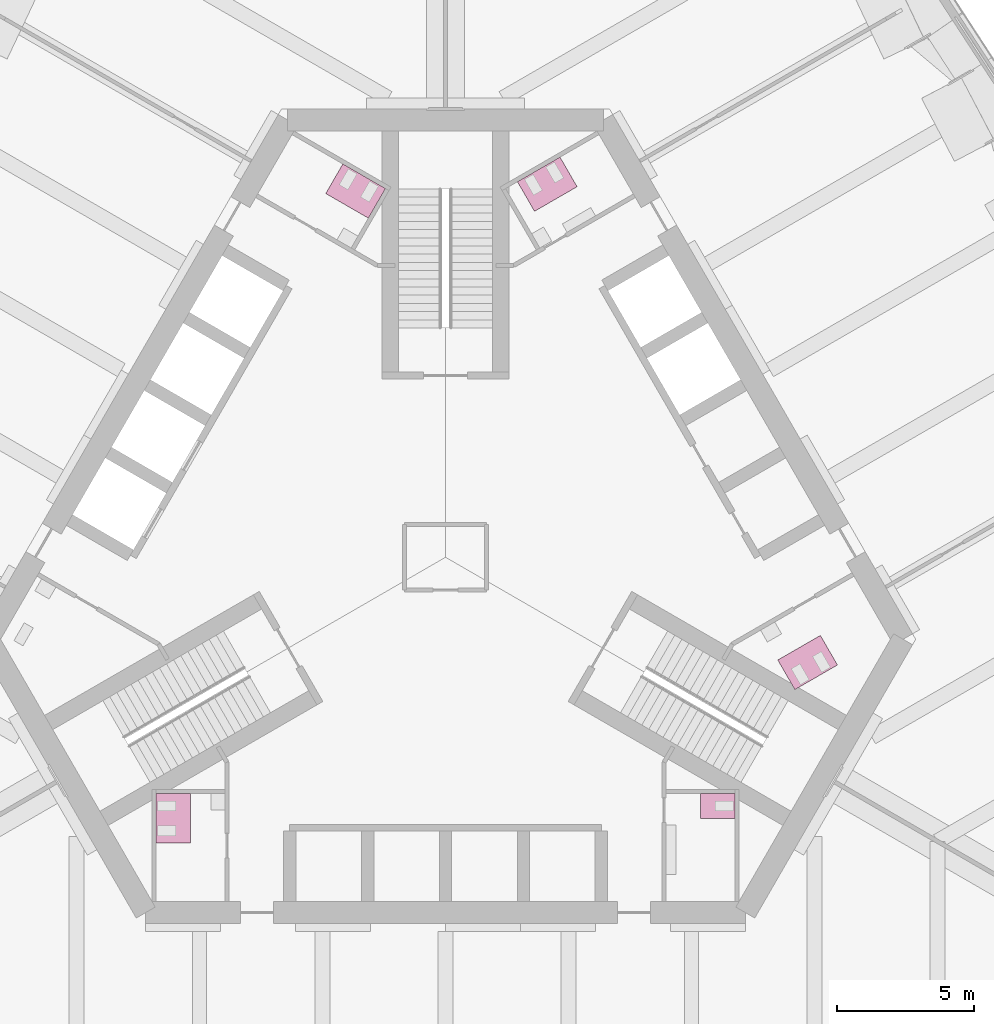
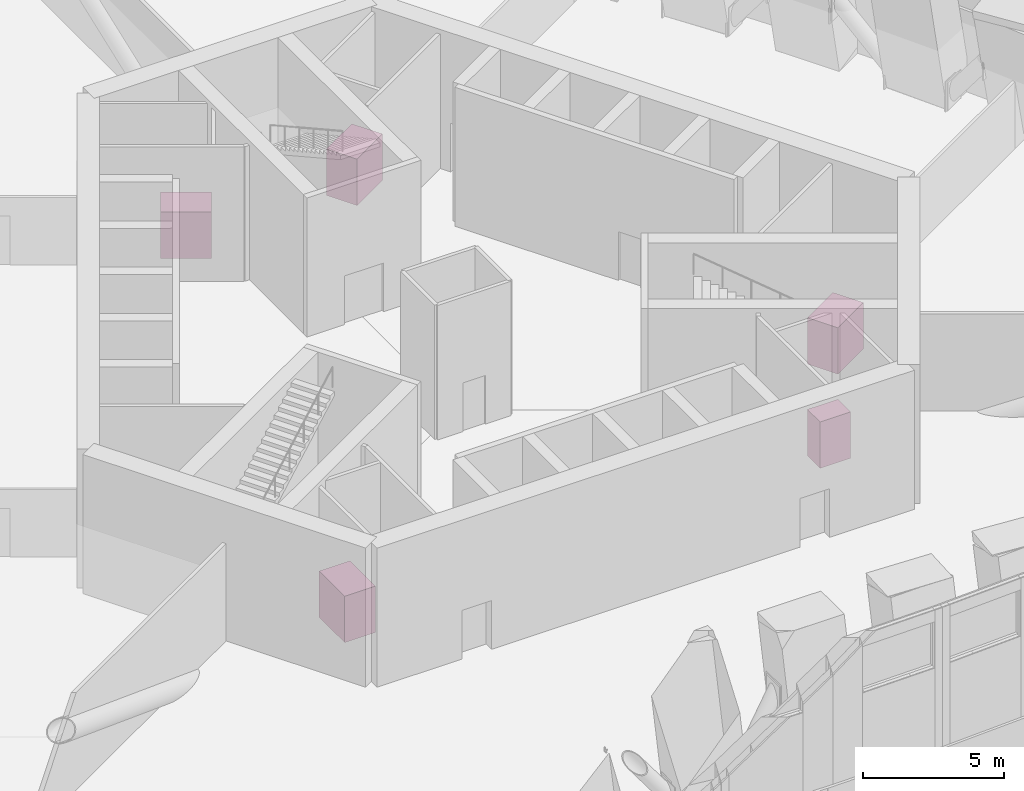
# One storey, part 25 of 25: 5 furniture elements.
"""IFC4 building model written with IfcOpenShell, lengths in metres."""

from ifc_helpers import new_model, si_unit, direction, frame, origin, place, context, subcontext, project, spatial, polyline, outline, extrude, material, type_object, element, save


model = new_model("IFC4")

# Units and contexts
model_context = context("Model", 3, precision=1e-05, world=origin(), true_north=direction((0.0, 1.0)))
body_context = subcontext(model_context, "Body", "Model", "MODEL_VIEW")
ifc_project = project(units=[si_unit("LENGTHUNIT", "METRE"), si_unit("AREAUNIT", "SQUARE_METRE"), si_unit("VOLUMEUNIT", "CUBIC_METRE"), si_unit("PLANEANGLEUNIT", "RADIAN"), si_unit("MASSUNIT", "GRAM", prefix="KILO")], contexts=[model_context])

# Site, building, storey
site_placement = place(None, origin())
site = spatial("IfcSite", under=ifc_project, at=site_placement, CompositionType="ELEMENT")
building_placement = place(site_placement, origin())
building = spatial("IfcBuilding", under=site, at=building_placement, Name="Trefoil Bronze Tower", CompositionType="ELEMENT")
storey_placement = place(building_placement, frame((0.0, 0.0, 178.699951171875)))
storey = spatial("IfcBuildingStorey", under=building, at=storey_placement, Name="L41", CompositionType="ELEMENT", Elevation=178.699951171875)

# Furniture
ifc_material_1 = material(Name="Compact laminate cubicles", Category="plastic")
furniture_type_1 = type_object("IfcFurnitureType", Name="WC cubicle range 1 cubicles", AssemblyPlace="FACTORY", PredefinedType="USERDEFINED", material=ifc_material_1)
furniture_1_placement = place(storey_placement, origin())
element("IfcFurniture", 1, at=furniture_1_placement, inside=storey, type_object=furniture_type_1, Name="WC cubicle range WC (men) L41", ObjectType="WC cubicle range", PredefinedType="USERDEFINED", context=body_context, shape_type="SweptSolid", body=[
    extrude(outline(polyline([(9.3349609375, -8.64990234375), (10.5849609375, -8.64990234375), (10.5849609375, -9.550048828125), (9.3349609375, -9.550048828125), (9.3349609375, -8.64990234375)])), origin(), (0.0, 0.0, 1.0), 2.0),
])
ifc_material_2 = material(Name="Compact laminate cubicles", Category="plastic")
furniture_type_2 = type_object("IfcFurnitureType", Name="WC cubicle range 2 cubicles", AssemblyPlace="FACTORY", PredefinedType="USERDEFINED", material=ifc_material_2)
furniture_2_placement = place(storey_placement, origin())
element("IfcFurniture", 2, at=furniture_2_placement, inside=storey, type_object=furniture_type_2, Name="WC cubicle range WC (women) L41", ObjectType="WC cubicle range", PredefinedType="USERDEFINED", context=body_context, shape_type="SweptSolid", body=[
    extrude(outline(polyline([(12.15869140625, -3.75927734375), (12.78369140625, -4.841796875), (14.342529296875, -3.94189453125), (13.717529296875, -2.859375), (12.15869140625, -3.75927734375)])), origin(), (0.0, 0.0, 1.0), 2.0),
])
furniture_3_placement = place(storey_placement, origin())
element("IfcFurniture", 3, at=furniture_3_placement, inside=storey, type_object=furniture_type_2, Name="WC cubicle range WC (men) L41", ObjectType="WC cubicle range", PredefinedType="USERDEFINED", context=body_context, shape_type="SweptSolid", body=[
    extrude(outline(polyline([(3.256591796875, 12.659423828125), (2.631591796875, 13.741943359375), (4.1904296875, 14.641845703125), (4.8154296875, 13.559326171875), (3.256591796875, 12.659423828125)])), origin(), (0.0, 0.0, 1.0), 2.0),
])
furniture_4_placement = place(storey_placement, origin())
element("IfcFurniture", 4, at=furniture_4_placement, inside=storey, type_object=furniture_type_2, Name="WC cubicle range WC (women) L41", ObjectType="WC cubicle range", PredefinedType="USERDEFINED", context=body_context, shape_type="SweptSolid", body=[
    extrude(outline(polyline([(-2.82373046875, 12.409423828125), (-2.19873046875, 13.491943359375), (-3.757568359375, 14.391845703125), (-4.382568359375, 13.309326171875), (-2.82373046875, 12.409423828125)])), origin(), (0.0, 0.0, 1.0), 2.0),
])
furniture_5_placement = place(storey_placement, origin())
element("IfcFurniture", 5, at=furniture_5_placement, inside=storey, type_object=furniture_type_2, Name="WC cubicle range WC (women) L41", ObjectType="WC cubicle range", PredefinedType="USERDEFINED", context=body_context, shape_type="SweptSolid", body=[
    extrude(outline(polyline([(-9.3349609375, -8.64990234375), (-10.5849609375, -8.64990234375), (-10.5849609375, -10.449951171875), (-9.3349609375, -10.449951171875), (-9.3349609375, -8.64990234375)])), origin(), (0.0, 0.0, 1.0), 2.0),
])

save(model, "model.ifc")
